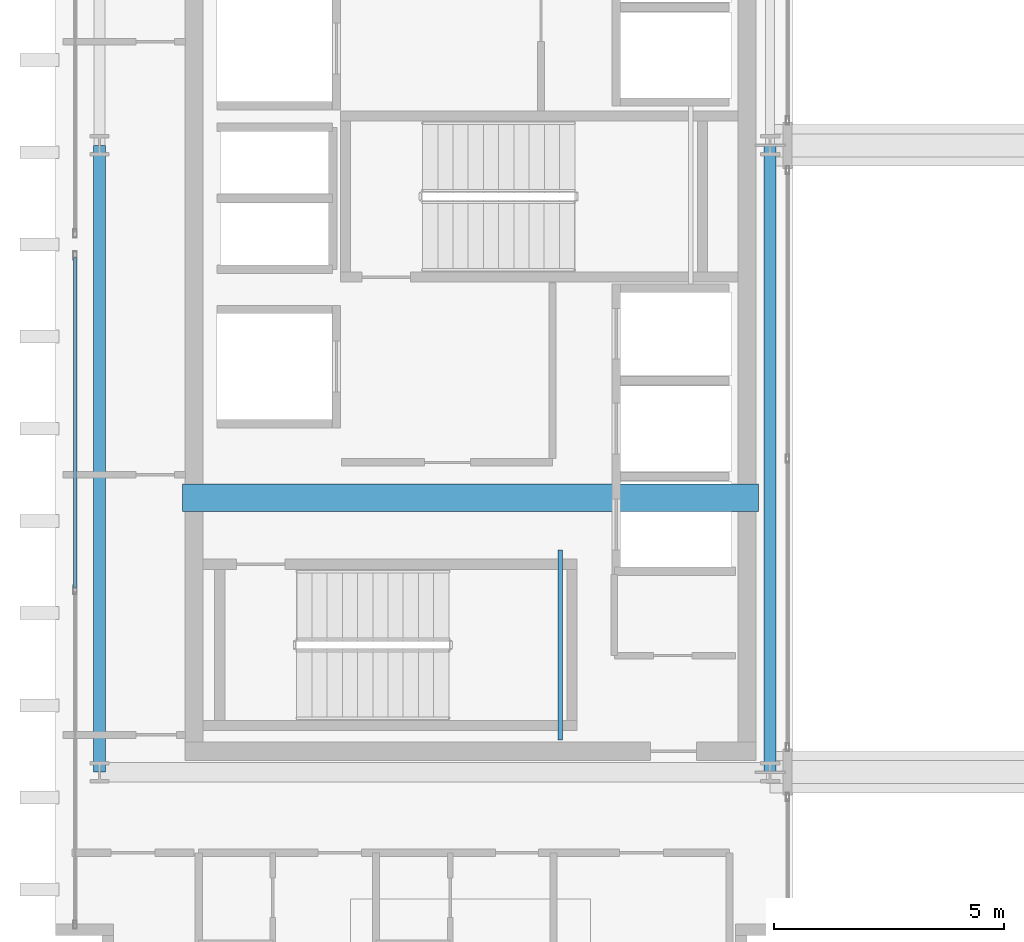
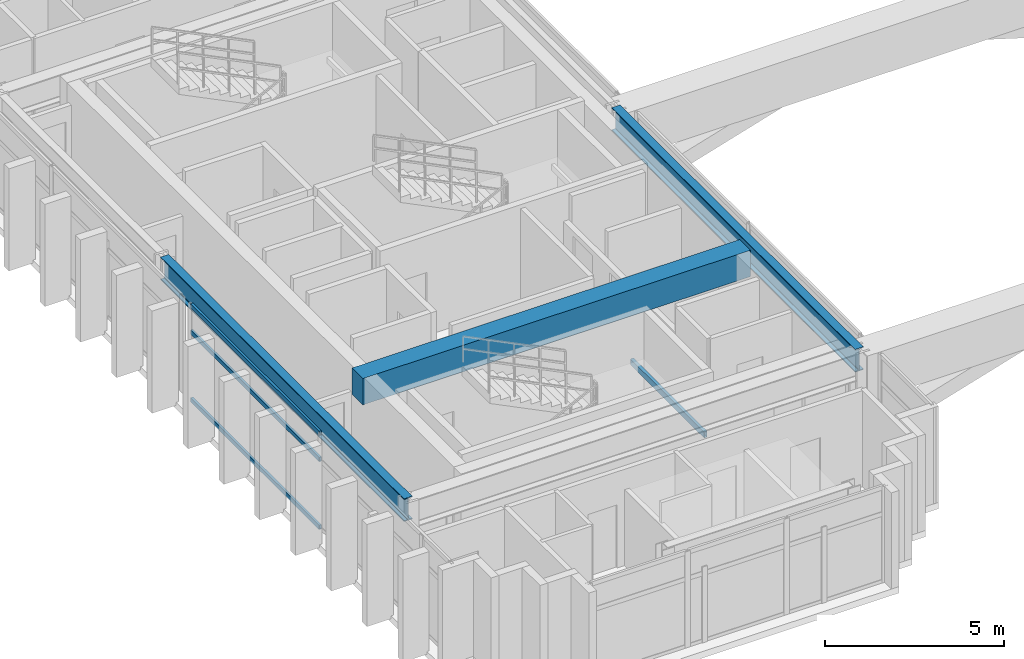
# One storey, part 3 of 28: 4 beams, 3 members, 1 element without a shape of its own.
"""IFC4 building model written with IfcOpenShell, lengths in metres."""

from ifc_helpers import new_model, si_unit, direction, frame, origin, origin_2d, place, context, subcontext, project, spatial, rectangle, hollow_rectangle, i_section, extrude, source, transform, mapped, material, layer, layer_set, material_profile, profile_set, type_object, element, aggregate, save


model = new_model("IFC4")

# Units and contexts
model_context = context("Model", 3, precision=1e-05, world=origin(), true_north=direction((0.0, 1.0)))
body_context = subcontext(model_context, "Body", "Model", "MODEL_VIEW")
ifc_project = project(units=[si_unit("LENGTHUNIT", "METRE"), si_unit("AREAUNIT", "SQUARE_METRE"), si_unit("VOLUMEUNIT", "CUBIC_METRE"), si_unit("PLANEANGLEUNIT", "RADIAN"), si_unit("MASSUNIT", "GRAM", prefix="KILO")], contexts=[model_context])

# Site, building, storey
site_placement = place(None, origin())
site = spatial("IfcSite", under=ifc_project, at=site_placement, CompositionType="ELEMENT")
building_placement = place(site_placement, origin())
building = spatial("IfcBuilding", under=site, at=building_placement, Name="Ocotamira Hotel", CompositionType="ELEMENT")
storey_placement = place(building_placement, frame((0.0, 0.0, 268.800048828125)))
storey = spatial("IfcBuildingStorey", under=building, at=storey_placement, Name="L68", CompositionType="ELEMENT", Elevation=268.800048828125)

# Beams
ifc_material_1 = material(Name="Concrete C50/60", Category="concrete")
ifc_material_profile_1 = material_profile(ifc_material_1, rectangle(XDim=0.60009765625, YDim=0.89990234375, at=origin_2d()), Name="RC600X900")
ifc_profile_set_1 = profile_set([ifc_material_profile_1], Name="Concrete C50/60")
beam_type_1 = type_object("IfcBeamType", Name="BM-LINK-RC600", PredefinedType="LINTEL", material=ifc_profile_set_1)
shared_shape_1 = source(origin(), body_context, "Body", "SweptSolid", [
    extrude(rectangle(XDim=0.60009765625, YDim=0.89990234375, at=origin_2d()), origin(), (0.0, 0.0, 1.0), 12.5),
])
beam_1_placement = place(storey_placement, frame((10.75, 20.5, 2.829833984375), z_axis=(1.0, 0.0, 0.0), x_axis=(0.0, 1.0, 0.0)))
element("IfcBeam", 1, at=beam_1_placement, inside=storey, type_object=beam_type_1, Name="L68 West Core Coupling Beam", PredefinedType="LINTEL", context=body_context, shape_type="MappedRepresentation", body=[
    mapped(shared_shape_1, transform((0.0, 0.0, 0.0), scale=1.0)),
])
ifc_material_2 = material(Name="Steel ASTM A500 Grade C", Category="steel")
ifc_material_profile_2 = material_profile(ifc_material_2, hollow_rectangle(XDim=0.10009765625, YDim=0.199951171875, WallThickness=0.008056640625, at=origin_2d()), Name="HSS200X100X8")
ifc_profile_set_2 = profile_set([ifc_material_profile_2], Name="Steel ASTM A500 Grade C")
beam_type_2 = type_object("IfcBeamType", Name="BM-STLDG-HSS200", PredefinedType="BEAM", material=ifc_profile_set_2)
shared_shape_2 = source(origin(), body_context, "Body", "SweptSolid", [
    extrude(hollow_rectangle(XDim=0.10009765625, YDim=0.199951171875, WallThickness=0.008056640625, at=origin_2d()), origin(), (0.0, 0.0, 1.0), 4.1201171875),
])
beam_2_placement = place(storey_placement, frame((18.949951171875, 15.25, 1.5), z_axis=(0.0, 1.0, 0.0), x_axis=(-1.0, 0.0, 0.0)))
element("IfcBeam", 2, at=beam_2_placement, inside=storey, type_object=beam_type_2, Name="L68 Stair ST-1 Landing Bearer 1", PredefinedType="BEAM", context=body_context, shape_type="MappedRepresentation", body=[
    mapped(shared_shape_2, transform((0.0, 0.0, 0.0), scale=1.0)),
])
ifc_material_3 = material(Name="Steel ASTM A992 Grade 50", Category="steel")
ifc_material_profile_3 = material_profile(ifc_material_3, i_section(OverallWidth=0.26611328125, OverallDepth=0.779052734375, WebThickness=0.0166015625, FlangeThickness=0.030029296875, FilletRadius=0.01806640625, at=origin_2d()), Name="W30X148")
ifc_profile_set_3 = profile_set([ifc_material_profile_3], Name="Steel ASTM A992 Grade 50")
beam_type_3 = type_object("IfcBeamType", Name="BM-GIRD-W30X148", PredefinedType="BEAM", material=ifc_profile_set_3)
shared_shape_3 = source(origin(), body_context, "Body", "SweptSolid", [
    extrude(i_section(OverallWidth=0.26611328125, OverallDepth=0.779052734375, WebThickness=0.0166015625, FlangeThickness=0.030029296875, FilletRadius=0.01806640625, at=origin_2d()), origin(), (0.0, 0.0, 1.0), 13.599853515625),
])
for number, where, z_axis, x_axis, name in (
    (3, (8.949951171875, 14.550048828125, 2.890380859375), (0.0, 1.0, 0.0), (-1.0, 0.0, 0.0), "L68 Beam X8.95 Y14.55-28.15"),
    (4, (23.5, 14.550048828125, 2.890380859375), (0.0, 1.0, 0.0), (-1.0, 0.0, 0.0), "L68 Beam X23.5 Y14.55-28.15"),
):
    element("IfcBeam", number, at=place(storey_placement, frame(where, z_axis=z_axis, x_axis=x_axis)), inside=storey, type_object=beam_type_3, Name=name, PredefinedType="BEAM", context=body_context, shape_type="MappedRepresentation", body=[
        mapped(shared_shape_3, transform((0.0, 0.0, 0.0), scale=1.0)),
    ])

# Curtain wall, members
ifc_material_4 = material(Name="Anodised pale-metal aluminium and solar glass", Category="aluminium")
ifc_layer = layer(ifc_material_4, 0.2099609375)
ifc_layer_set = layer_set([ifc_layer], Name="Anodised pale-metal aluminium and solar glass")
curtain_wall_type = type_object("IfcCurtainWallType", Name="CW-SYS7-PEAK", PredefinedType="NOTDEFINED", material=ifc_layer_set)
curtain_wall_placement = place(storey_placement, origin())
curtain_wall = element("IfcCurtainWall", 5, at=curtain_wall_placement, inside=storey, type_object=curtain_wall_type, Name="L68 Curtain Wall CW-7 CW-L68-WO1", PredefinedType="NOTDEFINED")
ifc_material_5 = material(Name="Anodised pale-metal aluminium 6063-T6", Category="aluminium")
ifc_material_profile_4 = material_profile(ifc_material_5, hollow_rectangle(XDim=0.074951171875, YDim=0.14990234375, WallThickness=0.006103515625, at=origin_2d()), Name="HSS150X75X6")
ifc_profile_set_4 = profile_set([ifc_material_profile_4], Name="Anodised pale-metal aluminium 6063-T6")
member_type = type_object("IfcMemberType", Name="CWT-150X75", PredefinedType="USERDEFINED", material=ifc_profile_set_4)
shared_shape_4 = source(origin(), body_context, "Body", "SweptSolid", [
    extrude(hollow_rectangle(XDim=0.074951171875, YDim=0.14990234375, WallThickness=0.006103515625, at=origin_2d()), origin(), (0.0, 0.0, 1.0), 7.179931640625),
])
member_1_placement = place(storey_placement, frame((8.419921875, 18.5400390625, 0.037353515625), z_axis=(0.0, 1.0, 0.0), x_axis=(-1.0, 0.0, 0.0)))
member_1 = element("IfcMember", 6, at=member_1_placement, type_object=member_type, Name="CW-7 transom 2.1", ObjectType="TRANSOM", PredefinedType="USERDEFINED", context=body_context, shape_type="MappedRepresentation", body=[
    mapped(shared_shape_4, transform((0.0, 0.0, 0.0), scale=1.0)),
])
member_2_placement = place(storey_placement, frame((8.419921875, 18.5400390625, 2.349853515625), z_axis=(0.0, 1.0, 0.0), x_axis=(-1.0, 0.0, 0.0)))
member_2 = element("IfcMember", 7, at=member_2_placement, type_object=member_type, Name="CW-7 transom 2.2", ObjectType="TRANSOM", PredefinedType="USERDEFINED", context=body_context, shape_type="MappedRepresentation", body=[
    mapped(shared_shape_4, transform((0.0, 0.0, 0.0), scale=1.0)),
])
member_3_placement = place(storey_placement, frame((8.419921875, 18.5400390625, 3.242431640625), z_axis=(0.0, 1.0, 0.0), x_axis=(-1.0, 0.0, 0.0)))
member_3 = element("IfcMember", 8, at=member_3_placement, type_object=member_type, Name="CW-7 transom 2.3", ObjectType="TRANSOM", PredefinedType="USERDEFINED", context=body_context, shape_type="MappedRepresentation", body=[
    mapped(shared_shape_4, transform((0.0, 0.0, 0.0), scale=1.0)),
])
aggregate(curtain_wall, [member_1, member_2, member_3])

save(model, "model.ifc")
